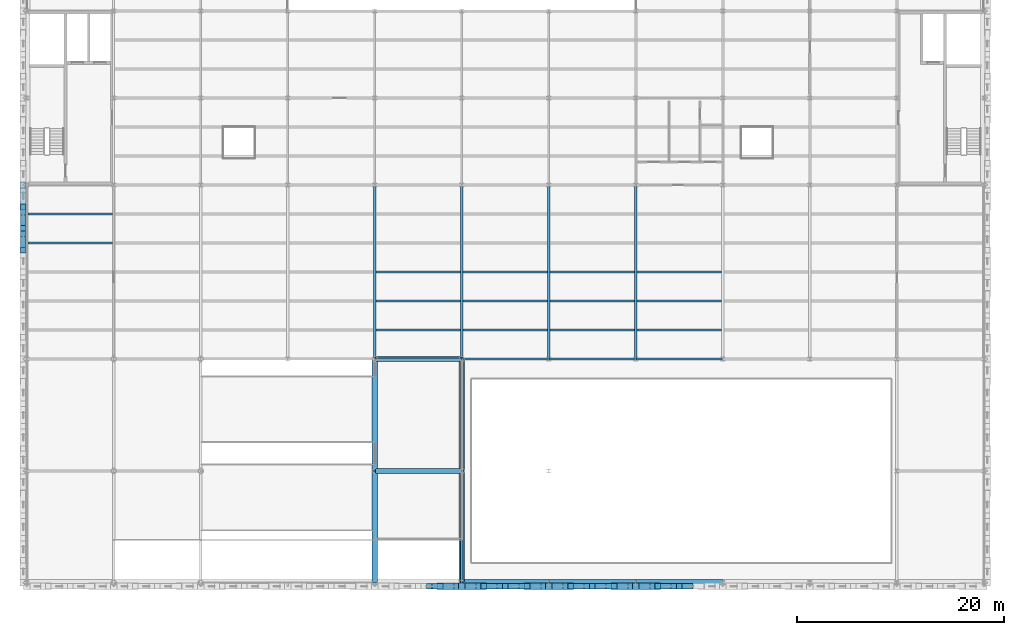
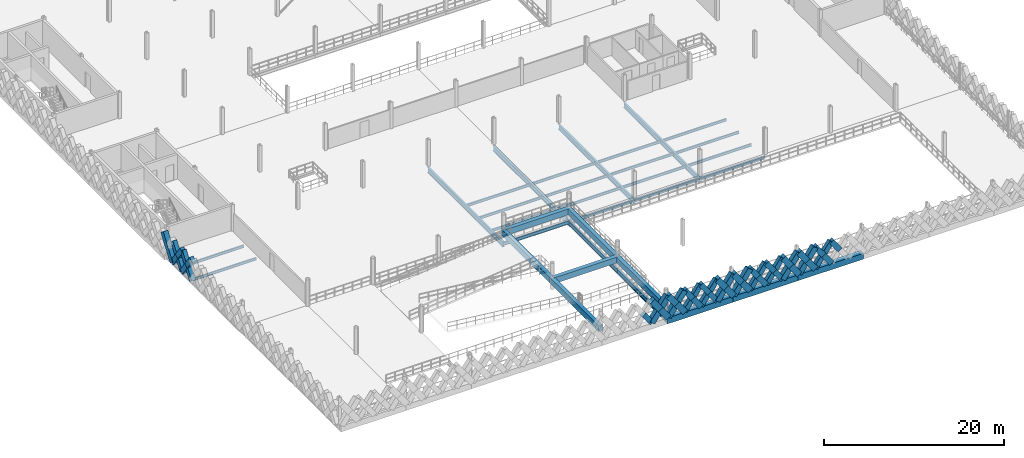
# One storey, part 19 of 74: 42 members, 33 beams.
"""IFC4 building model written with IfcOpenShell, lengths in metres."""

from ifc_helpers import new_model, si_unit, direction, frame, origin, origin_2d, place, context, subcontext, project, spatial, rectangle, i_section, extrude, material, material_profile, profile_set, type_object, element, save


model = new_model("IFC4")

# Units and contexts
model_context = context("Model", 3, precision=1e-05, world=origin(), true_north=direction((0.0, 1.0)))
body_context = subcontext(model_context, "Body", "Model", "MODEL_VIEW")
ifc_project = project(units=[si_unit("LENGTHUNIT", "METRE"), si_unit("AREAUNIT", "SQUARE_METRE"), si_unit("VOLUMEUNIT", "CUBIC_METRE"), si_unit("PLANEANGLEUNIT", "RADIAN"), si_unit("MASSUNIT", "GRAM", prefix="KILO"), si_unit("THERMODYNAMICTEMPERATUREUNIT", "KELVIN"), si_unit("POWERUNIT", "WATT")], contexts=[model_context])

# Site, building, storey
site_placement = place(None, origin())
site = spatial("IfcSite", under=ifc_project, at=site_placement, CompositionType="ELEMENT")
building_placement = place(site_placement, origin())
building = spatial("IfcBuilding", under=site, at=building_placement, Name="Tembeka Court Mobility Hub", CompositionType="ELEMENT")
storey_placement = place(building_placement, frame((0.0, 0.0, 12.60009765625)))
storey = spatial("IfcBuildingStorey", under=building, at=storey_placement, Name="L03", CompositionType="ELEMENT", Elevation=12.60009765625)

# Beams
ifc_material_1 = material(Name="Steel S355", Category="steel")
ifc_material_profile_1 = material_profile(ifc_material_1, i_section(OverallWidth=0.18994140625, OverallDepth=0.45703125, WebThickness=0.009033203125, FlangeThickness=0.014404296875, FilletRadius=0.01025390625, at=origin_2d()), Name="UKB 457x191x74")
ifc_profile_set_1 = profile_set([ifc_material_profile_1], Name="Steel S355")
beam_type_1 = type_object("IfcBeamType", Name="BM-B01", PredefinedType="BEAM", material=ifc_profile_set_1)
for number, where, z_axis, x_axis, name in (
    (1, (33.60009765625, 21.60009765625, -0.448486328125), (1.0, 0.0, 0.0), (0.0, 1.0, 0.0), "Beam B01 (BM-L03-X1707)"),
    (2, (42.0, 21.60009765625, -0.448486328125), (1.0, 0.0, 0.0), (0.0, 1.0, 0.0), "Beam B01 (BM-L03-X1708)"),
):
    element("IfcBeam", number, at=place(storey_placement, frame(where, z_axis=z_axis, x_axis=x_axis)), inside=storey, type_object=beam_type_1, Name=name, PredefinedType="BEAM", context=body_context, shape_type="SweptSolid", body=[
        extrude(i_section(OverallWidth=0.18994140625, OverallDepth=0.45703125, WebThickness=0.009033203125, FlangeThickness=0.014404296875, FilletRadius=0.01025390625, at=origin_2d()), origin(), (0.0, 0.0, 1.0), 8.39990234375),
    ])
beam_1_placement = place(storey_placement, frame((50.39990234375, 21.60009765625, -0.448486328125), z_axis=(1.0, 0.0, 0.0), x_axis=(0.0, 1.0, 0.0)))
element("IfcBeam", 3, at=beam_1_placement, inside=storey, type_object=beam_type_1, Name="Beam B01 (BM-L03-X1709)", PredefinedType="BEAM", context=body_context, shape_type="SweptSolid", body=[
    extrude(i_section(OverallWidth=0.18994140625, OverallDepth=0.45703125, WebThickness=0.009033203125, FlangeThickness=0.014404296875, FilletRadius=0.01025390625, at=origin_2d()), origin(), (0.0, 0.0, 1.0), 8.400146484375),
])
beam_2_placement = place(storey_placement, frame((58.800048828125, 21.60009765625, -0.448486328125), z_axis=(1.0, 0.0, 0.0), x_axis=(0.0, 1.0, 0.0)))
element("IfcBeam", 4, at=beam_2_placement, inside=storey, type_object=beam_type_1, Name="Beam B01 (BM-L03-X1710)", PredefinedType="BEAM", context=body_context, shape_type="SweptSolid", body=[
    extrude(i_section(OverallWidth=0.18994140625, OverallDepth=0.45703125, WebThickness=0.009033203125, FlangeThickness=0.014404296875, FilletRadius=0.01025390625, at=origin_2d()), origin(), (0.0, 0.0, 1.0), 8.39990234375),
])
ifc_material_2 = material(Name="Concrete C40/50", Category="concrete")
ifc_material_profile_2 = material_profile(ifc_material_2, rectangle(XDim=0.5, YDim=0.800048828125, at=origin_2d()), Name="RC-BM 500x800")
ifc_profile_set_2 = profile_set([ifc_material_profile_2], Name="Concrete C40/50")
beam_type_2 = type_object("IfcBeamType", Name="BM-B05", PredefinedType="BEAM", material=ifc_profile_set_2)
for number, where, z_axis, x_axis, name in (
    (5, (33.695068359375, 10.800048828125, 1.14990234375), (1.0, 0.0, 0.0), (0.0, 1.0, 0.0), "Car park vehicle ramp South R2 L03 half-landing tie beam EX2"),
    (6, (33.695068359375, 21.60009765625, 1.14990234375), (1.0, 0.0, 0.0), (0.0, 1.0, 0.0), "Car park vehicle ramp South R2 L03 half-landing tie beam EX3"),
):
    element("IfcBeam", number, at=place(storey_placement, frame(where, z_axis=z_axis, x_axis=x_axis)), inside=storey, type_object=beam_type_2, Name=name, PredefinedType="BEAM", context=body_context, shape_type="SweptSolid", body=[
        extrude(rectangle(XDim=0.5, YDim=0.800048828125, at=origin_2d()), origin(), (0.0, 0.0, 1.0), 8.2099609375),
    ])
for number, where, z_axis, x_axis, name in (
    (7, (33.60009765625, 0.0, 1.14990234375), (0.0, 1.0, 0.0), (-1.0, 0.0, 0.0), "Car park vehicle ramp South R2 L03 half-landing beam EM1"),
    (8, (33.60009765625, 10.800048828125, 1.14990234375), (0.0, 1.0, 0.0), (-1.0, 0.0, 0.0), "Car park vehicle ramp South R2 L03 half-landing beam EM2"),
    (9, (42.0, 0.0, 1.14990234375), (0.0, 1.0, 0.0), (-1.0, 0.0, 0.0), "Car park vehicle ramp South R2 L03 half-landing beam EE1"),
    (10, (42.0, 10.800048828125, 1.14990234375), (0.0, 1.0, 0.0), (-1.0, 0.0, 0.0), "Car park vehicle ramp South R2 L03 half-landing beam EE2"),
):
    element("IfcBeam", number, at=place(storey_placement, frame(where, z_axis=z_axis, x_axis=x_axis)), inside=storey, type_object=beam_type_2, Name=name, PredefinedType="BEAM", context=body_context, shape_type="SweptSolid", body=[
        extrude(rectangle(XDim=0.5, YDim=0.800048828125, at=origin_2d()), origin(), (0.0, 0.0, 1.0), 10.800048828125),
    ])
ifc_material_profile_3 = material_profile(ifc_material_1, i_section(OverallWidth=0.25390625, OverallDepth=0.68408203125, WebThickness=0.012451171875, FlangeThickness=0.01904296875, FilletRadius=0.01513671875, at=origin_2d()), Name="UKB 686x254x140")
ifc_profile_set_3 = profile_set([ifc_material_profile_3], Name="Steel S355")
beam_type_3 = type_object("IfcBeamType", Name="BM-G01", PredefinedType="USERDEFINED", material=ifc_profile_set_3)
for number, where, z_axis, x_axis, name in (
    (11, (33.60009765625, 21.60009765625, -0.56201171875), (0.0, 1.0, 0.0), (-1.0, 0.0, 0.0), "Beam G01 (BM-L03-Y1856)"),
    (12, (42.0, 21.60009765625, -0.56201171875), (0.0, 1.0, 0.0), (-1.0, 0.0, 0.0), "Beam G01 (BM-L03-Y1864)"),
    (13, (50.39990234375, 21.60009765625, -0.56201171875), (0.0, 1.0, 0.0), (-1.0, 0.0, 0.0), "Beam G01 (BM-L03-Y1872)"),
    (14, (58.800048828125, 21.60009765625, -0.56201171875), (0.0, 1.0, 0.0), (-1.0, 0.0, 0.0), "Beam G01 (BM-L03-Y1878)"),
):
    element("IfcBeam", number, at=place(storey_placement, frame(where, z_axis=z_axis, x_axis=x_axis)), inside=storey, type_object=beam_type_3, Name=name, ObjectType="GIRDER", PredefinedType="USERDEFINED", context=body_context, shape_type="SweptSolid", body=[
        extrude(i_section(OverallWidth=0.25390625, OverallDepth=0.68408203125, WebThickness=0.012451171875, FlangeThickness=0.01904296875, FilletRadius=0.01513671875, at=origin_2d()), origin(), (0.0, 0.0, 1.0), 16.7998046875),
    ])
ifc_material_profile_4 = material_profile(ifc_material_1, i_section(OverallWidth=0.22900390625, OverallDepth=0.612060546875, WebThickness=0.011962890625, FlangeThickness=0.01953125, FilletRadius=0.0126953125, at=origin_2d()), Name="UKB 610x229x125")
ifc_profile_set_4 = profile_set([ifc_material_profile_4], Name="Steel S355")
beam_type_4 = type_object("IfcBeamType", Name="BM-G02", PredefinedType="USERDEFINED", material=ifc_profile_set_4)
for number, where, z_axis, x_axis, name in (
    (15, (42.0, 0.0, -0.526123046875), (0.0, 1.0, 0.0), (-1.0, 0.0, 0.0), "Beam G02 (BM-L03-Y1862)"),
    (16, (42.0, 10.800048828125, -0.526123046875), (0.0, 1.0, 0.0), (-1.0, 0.0, 0.0), "Beam G02 (BM-L03-Y1863)"),
):
    element("IfcBeam", number, at=place(storey_placement, frame(where, z_axis=z_axis, x_axis=x_axis)), inside=storey, type_object=beam_type_4, Name=name, ObjectType="GIRDER", PredefinedType="USERDEFINED", context=body_context, shape_type="SweptSolid", body=[
        extrude(i_section(OverallWidth=0.22900390625, OverallDepth=0.612060546875, WebThickness=0.011962890625, FlangeThickness=0.01953125, FilletRadius=0.0126953125, at=origin_2d()), origin(), (0.0, 0.0, 1.0), 10.800048828125),
    ])
ifc_material_profile_5 = material_profile(ifc_material_1, i_section(OverallWidth=0.172119140625, OverallDepth=0.35498046875, WebThickness=0.00732421875, FlangeThickness=0.011474609375, FilletRadius=0.01025390625, at=origin_2d()), Name="UKB 356x171x51")
ifc_profile_set_5 = profile_set([ifc_material_profile_5], Name="Steel S355")
beam_type_5 = type_object("IfcBeamType", Name="BM-J01", PredefinedType="JOIST", material=ifc_profile_set_5)
for number, where, z_axis, x_axis, name in (
    (17, (0.1220703125, 32.800048828125, -0.397705078125), (1.0, 0.0, 0.0), (0.0, 1.0, 0.0), "Beam J01 (JST-L03-1949)"),
    (18, (0.1220703125, 35.60009765625, -0.397705078125), (1.0, 0.0, 0.0), (0.0, 1.0, 0.0), "Beam J01 (JST-L03-1950)"),
    (19, (33.721923828125, 24.39990234375, -0.397705078125), (1.0, 0.0, 0.0), (0.0, 1.0, 0.0), "Beam J01 (JST-L03-2016)"),
    (20, (33.721923828125, 27.199951171875, -0.397705078125), (1.0, 0.0, 0.0), (0.0, 1.0, 0.0), "Beam J01 (JST-L03-2017)"),
    (21, (33.721923828125, 30.0, -0.397705078125), (1.0, 0.0, 0.0), (0.0, 1.0, 0.0), "Beam J01 (JST-L03-2018)"),
    (22, (42.1220703125, 24.39990234375, -0.397705078125), (1.0, 0.0, 0.0), (0.0, 1.0, 0.0), "Beam J01 (JST-L03-2034)"),
    (23, (42.1220703125, 27.199951171875, -0.397705078125), (1.0, 0.0, 0.0), (0.0, 1.0, 0.0), "Beam J01 (JST-L03-2035)"),
    (24, (42.1220703125, 30.0, -0.397705078125), (1.0, 0.0, 0.0), (0.0, 1.0, 0.0), "Beam J01 (JST-L03-2036)"),
    (25, (50.52197265625, 24.39990234375, -0.397705078125), (1.0, 0.0, 0.0), (0.0, 1.0, 0.0), "Beam J01 (JST-L03-2052)"),
    (26, (50.52197265625, 27.199951171875, -0.397705078125), (1.0, 0.0, 0.0), (0.0, 1.0, 0.0), "Beam J01 (JST-L03-2053)"),
    (27, (50.52197265625, 30.0, -0.397705078125), (1.0, 0.0, 0.0), (0.0, 1.0, 0.0), "Beam J01 (JST-L03-2054)"),
):
    element("IfcBeam", number, at=place(storey_placement, frame(where, z_axis=z_axis, x_axis=x_axis)), inside=storey, type_object=beam_type_5, Name=name, PredefinedType="JOIST", context=body_context, shape_type="SweptSolid", body=[
        extrude(i_section(OverallWidth=0.172119140625, OverallDepth=0.35498046875, WebThickness=0.00732421875, FlangeThickness=0.011474609375, FilletRadius=0.01025390625, at=origin_2d()), origin(), (0.0, 0.0, 1.0), 8.156005859375),
    ])
for number, where, z_axis, x_axis, name in (
    (28, (58.922119140625, 24.39990234375, -0.397705078125), (1.0, 0.0, 0.0), (0.0, 1.0, 0.0), "Beam J01 (JST-L03-2070)"),
    (29, (58.922119140625, 27.199951171875, -0.397705078125), (1.0, 0.0, 0.0), (0.0, 1.0, 0.0), "Beam J01 (JST-L03-2071)"),
    (30, (58.922119140625, 30.0, -0.397705078125), (1.0, 0.0, 0.0), (0.0, 1.0, 0.0), "Beam J01 (JST-L03-2072)"),
):
    element("IfcBeam", number, at=place(storey_placement, frame(where, z_axis=z_axis, x_axis=x_axis)), inside=storey, type_object=beam_type_5, Name=name, PredefinedType="JOIST", context=body_context, shape_type="SweptSolid", body=[
        extrude(i_section(OverallWidth=0.172119140625, OverallDepth=0.35498046875, WebThickness=0.00732421875, FlangeThickness=0.011474609375, FilletRadius=0.01025390625, at=origin_2d()), origin(), (0.0, 0.0, 1.0), 8.15576171875),
    ])
ifc_material_3 = material(Name="Precast concrete C45/55", Category="concrete")
ifc_material_profile_6 = material_profile(ifc_material_3, rectangle(XDim=0.64990234375, YDim=0.800048828125, at=origin_2d()), Name="PC-SP 650x800")
ifc_profile_set_6 = profile_set([ifc_material_profile_6], Name="Precast concrete C45/55")
beam_type_6 = type_object("IfcBeamType", Name="BM-SP01", PredefinedType="SPANDREL", material=ifc_profile_set_6)
beam_3_placement = place(storey_placement, frame((42.0, 0.0, -0.6201171875), z_axis=(1.0, 0.0, 0.0), x_axis=(0.0, 1.0, 0.0)))
element("IfcBeam", 31, at=beam_3_placement, inside=storey, type_object=beam_type_6, Name="Beam SP01 (BM-L03-X1686)", PredefinedType="SPANDREL", context=body_context, shape_type="SweptSolid", body=[
    extrude(rectangle(XDim=0.64990234375, YDim=0.800048828125, at=origin_2d()), origin(), (0.0, 0.0, 1.0), 8.39990234375),
])
beam_4_placement = place(storey_placement, frame((50.39990234375, 0.0, -0.6201171875), z_axis=(1.0, 0.0, 0.0), x_axis=(0.0, 1.0, 0.0)))
element("IfcBeam", 32, at=beam_4_placement, inside=storey, type_object=beam_type_6, Name="Beam SP01 (BM-L03-X1687)", PredefinedType="SPANDREL", context=body_context, shape_type="SweptSolid", body=[
    extrude(rectangle(XDim=0.64990234375, YDim=0.800048828125, at=origin_2d()), origin(), (0.0, 0.0, 1.0), 8.400146484375),
])
beam_5_placement = place(storey_placement, frame((58.800048828125, 0.0, -0.6201171875), z_axis=(1.0, 0.0, 0.0), x_axis=(0.0, 1.0, 0.0)))
element("IfcBeam", 33, at=beam_5_placement, inside=storey, type_object=beam_type_6, Name="Beam SP01 (BM-L03-X1688)", PredefinedType="SPANDREL", context=body_context, shape_type="SweptSolid", body=[
    extrude(rectangle(XDim=0.64990234375, YDim=0.800048828125, at=origin_2d()), origin(), (0.0, 0.0, 1.0), 8.39990234375),
])

# Members
ifc_material_profile_7 = material_profile(ifc_material_3, rectangle(XDim=0.5, YDim=0.64990234375, at=origin_2d()), Name="PC-DIAG 500x650")
ifc_profile_set_7 = profile_set([ifc_material_profile_7], Name="Precast concrete C45/55")
member_type_1 = type_object("IfcMemberType", Name="MEM-DL01", PredefinedType="BRACE", material=ifc_profile_set_7)
member_1_placement = place(storey_placement, frame((39.89990234375, -0.340087890625, 0.02001953125), z_axis=(-0.582518941428, 0.0, 0.812817127574), x_axis=(0.0, -1.0, 0.0)))
element("IfcMember", 34, at=member_1_placement, inside=storey, type_object=member_type_1, Name="Precast diamond lattice split lower strand DL01 (L03-407B1)", PredefinedType="BRACE", context=body_context, shape_type="SweptSolid", body=[
    extrude(rectangle(XDim=0.5, YDim=0.64990234375, at=origin_2d()), origin(), (0.0, 0.0, 1.0), 1.80224609375),
])
member_2_placement = place(storey_placement, frame((44.10009765625, -0.340087890625, 0.02001953125), z_axis=(0.58253161945, 0.0, 0.812808041509), x_axis=(0.0, 1.0, 0.0)))
element("IfcMember", 35, at=member_2_placement, inside=storey, type_object=member_type_1, Name="Precast diamond lattice continuous strand DL01 (L03-410A)", PredefinedType="BRACE", context=body_context, shape_type="SweptSolid", body=[
    extrude(rectangle(XDim=0.5, YDim=0.64990234375, at=origin_2d()), origin(), (0.0, 0.0, 1.0), 3.604736328125),
])
member_3_placement = place(storey_placement, frame((46.199951171875, -0.340087890625, 0.02001953125), z_axis=(-0.582608431711, 0.0, 0.812752985414), x_axis=(0.0, -1.0, 0.0)))
element("IfcMember", 36, at=member_3_placement, inside=storey, type_object=member_type_1, Name="Precast diamond lattice split lower strand DL01 (L03-410B1)", PredefinedType="BRACE", context=body_context, shape_type="SweptSolid", body=[
    extrude(rectangle(XDim=0.5, YDim=0.64990234375, at=origin_2d()), origin(), (0.0, 0.0, 1.0), 1.80224609375),
])
member_4_placement = place(storey_placement, frame((45.14990234375, -0.340087890625, 1.48486328125), z_axis=(-0.582454804382, 0.0, 0.812863088627), x_axis=(0.0, -1.0, 0.0)))
element("IfcMember", 37, at=member_4_placement, inside=storey, type_object=member_type_1, Name="Precast diamond lattice split upper strand DL01 (L03-410B2)", PredefinedType="BRACE", context=body_context, shape_type="SweptSolid", body=[
    extrude(rectangle(XDim=0.5, YDim=0.64990234375, at=origin_2d()), origin(), (0.0, 0.0, 1.0), 1.802490234375),
])
member_5_placement = place(storey_placement, frame((46.199951171875, -0.340087890625, 0.02001953125), z_axis=(0.582576362011, 0.0, 0.812775973086), x_axis=(0.0, 1.0, 0.0)))
element("IfcMember", 38, at=member_5_placement, inside=storey, type_object=member_type_1, Name="Precast diamond lattice continuous strand DL01 (L03-411A)", PredefinedType="BRACE", context=body_context, shape_type="SweptSolid", body=[
    extrude(rectangle(XDim=0.5, YDim=0.64990234375, at=origin_2d()), origin(), (0.0, 0.0, 1.0), 3.604736328125),
])
member_6_placement = place(storey_placement, frame((48.300048828125, -0.340087890625, 0.02001953125), z_axis=(-0.582608431711, 0.0, 0.812752985414), x_axis=(0.0, -1.0, 0.0)))
element("IfcMember", 39, at=member_6_placement, inside=storey, type_object=member_type_1, Name="Precast diamond lattice split lower strand DL01 (L03-411B1)", PredefinedType="BRACE", context=body_context, shape_type="SweptSolid", body=[
    extrude(rectangle(XDim=0.5, YDim=0.64990234375, at=origin_2d()), origin(), (0.0, 0.0, 1.0), 1.80224609375),
])
member_7_placement = place(storey_placement, frame((47.25, -0.340087890625, 1.48486328125), z_axis=(-0.582544294934, 0.0, 0.812798956963), x_axis=(0.0, -1.0, 0.0)))
element("IfcMember", 40, at=member_7_placement, inside=storey, type_object=member_type_1, Name="Precast diamond lattice split upper strand DL01 (L03-411B2)", PredefinedType="BRACE", context=body_context, shape_type="SweptSolid", body=[
    extrude(rectangle(XDim=0.5, YDim=0.64990234375, at=origin_2d()), origin(), (0.0, 0.0, 1.0), 1.802490234375),
])
member_8_placement = place(storey_placement, frame((52.5, -0.340087890625, 0.02001953125), z_axis=(0.582576362011, 0.0, 0.812775973086), x_axis=(0.0, 1.0, 0.0)))
element("IfcMember", 41, at=member_8_placement, inside=storey, type_object=member_type_1, Name="Precast diamond lattice continuous strand DL01 (L03-414A)", PredefinedType="BRACE", context=body_context, shape_type="SweptSolid", body=[
    extrude(rectangle(XDim=0.5, YDim=0.64990234375, at=origin_2d()), origin(), (0.0, 0.0, 1.0), 3.604736328125),
])
member_9_placement = place(storey_placement, frame((54.60009765625, -0.340087890625, 0.02001953125), z_axis=(-0.582608431711, 0.0, 0.812752985414), x_axis=(0.0, -1.0, 0.0)))
element("IfcMember", 42, at=member_9_placement, inside=storey, type_object=member_type_1, Name="Precast diamond lattice split lower strand DL01 (L03-414B1)", PredefinedType="BRACE", context=body_context, shape_type="SweptSolid", body=[
    extrude(rectangle(XDim=0.5, YDim=0.64990234375, at=origin_2d()), origin(), (0.0, 0.0, 1.0), 1.80224609375),
])
member_10_placement = place(storey_placement, frame((53.550048828125, -0.340087890625, 1.48486328125), z_axis=(-0.582544294934, 0.0, 0.812798956963), x_axis=(0.0, -1.0, 0.0)))
element("IfcMember", 43, at=member_10_placement, inside=storey, type_object=member_type_1, Name="Precast diamond lattice split upper strand DL01 (L03-414B2)", PredefinedType="BRACE", context=body_context, shape_type="SweptSolid", body=[
    extrude(rectangle(XDim=0.5, YDim=0.64990234375, at=origin_2d()), origin(), (0.0, 0.0, 1.0), 1.802490234375),
])
member_11_placement = place(storey_placement, frame((54.60009765625, -0.340087890625, 0.02001953125), z_axis=(0.58253161945, 0.0, 0.812808041509), x_axis=(0.0, 1.0, 0.0)))
element("IfcMember", 44, at=member_11_placement, inside=storey, type_object=member_type_1, Name="Precast diamond lattice continuous strand DL01 (L03-415A)", PredefinedType="BRACE", context=body_context, shape_type="SweptSolid", body=[
    extrude(rectangle(XDim=0.5, YDim=0.64990234375, at=origin_2d()), origin(), (0.0, 0.0, 1.0), 3.604736328125),
])
member_12_placement = place(storey_placement, frame((56.699951171875, -0.340087890625, 0.02001953125), z_axis=(-0.582608431711, 0.0, 0.812752985414), x_axis=(0.0, -1.0, 0.0)))
element("IfcMember", 45, at=member_12_placement, inside=storey, type_object=member_type_1, Name="Precast diamond lattice split lower strand DL01 (L03-415B1)", PredefinedType="BRACE", context=body_context, shape_type="SweptSolid", body=[
    extrude(rectangle(XDim=0.5, YDim=0.64990234375, at=origin_2d()), origin(), (0.0, 0.0, 1.0), 1.80224609375),
])
member_13_placement = place(storey_placement, frame((55.64990234375, -0.340087890625, 1.48486328125), z_axis=(-0.582454804382, 0.0, 0.812863088627), x_axis=(0.0, -1.0, 0.0)))
element("IfcMember", 46, at=member_13_placement, inside=storey, type_object=member_type_1, Name="Precast diamond lattice split upper strand DL01 (L03-415B2)", PredefinedType="BRACE", context=body_context, shape_type="SweptSolid", body=[
    extrude(rectangle(XDim=0.5, YDim=0.64990234375, at=origin_2d()), origin(), (0.0, 0.0, 1.0), 1.802490234375),
])
member_14_placement = place(storey_placement, frame((60.89990234375, -0.340087890625, 0.02001953125), z_axis=(0.582576362011, 0.0, 0.812775973086), x_axis=(0.0, 1.0, 0.0)))
element("IfcMember", 47, at=member_14_placement, inside=storey, type_object=member_type_1, Name="Precast diamond lattice continuous strand DL01 (L03-418A)", PredefinedType="BRACE", context=body_context, shape_type="SweptSolid", body=[
    extrude(rectangle(XDim=0.5, YDim=0.64990234375, at=origin_2d()), origin(), (0.0, 0.0, 1.0), 3.604736328125),
])
member_15_placement = place(storey_placement, frame((63.0, -0.340087890625, 0.02001953125), z_axis=(-0.582608431711, 0.0, 0.812752985414), x_axis=(0.0, -1.0, 0.0)))
element("IfcMember", 48, at=member_15_placement, inside=storey, type_object=member_type_1, Name="Precast diamond lattice split lower strand DL01 (L03-418B1)", PredefinedType="BRACE", context=body_context, shape_type="SweptSolid", body=[
    extrude(rectangle(XDim=0.5, YDim=0.64990234375, at=origin_2d()), origin(), (0.0, 0.0, 1.0), 1.80224609375),
])
for number, where, z_axis, x_axis, name in (
    (49, (61.949951171875, -0.340087890625, 1.48486328125), (-0.582544294934, 0.0, 0.812798956963), (0.0, -1.0, 0.0), "Precast diamond lattice split upper strand DL01 (L03-418B2)"),
    (50, (64.050048828125, -0.340087890625, 1.48486328125), (-0.582544294934, 0.0, 0.812798956963), (0.0, -1.0, 0.0), "Precast diamond lattice split upper strand DL01 (L03-419B2)"),
):
    element("IfcMember", number, at=place(storey_placement, frame(where, z_axis=z_axis, x_axis=x_axis)), inside=storey, type_object=member_type_1, Name=name, PredefinedType="BRACE", context=body_context, shape_type="SweptSolid", body=[
        extrude(rectangle(XDim=0.5, YDim=0.64990234375, at=origin_2d()), origin(), (0.0, 0.0, 1.0), 1.802490234375),
    ])
member_16_placement = place(storey_placement, frame((-0.340087890625, 32.10009765625, 0.02001953125), z_axis=(0.0, 0.58253161945, 0.812808041509), x_axis=(-1.0, 0.0, 0.0)))
element("IfcMember", 51, at=member_16_placement, inside=storey, type_object=member_type_1, Name="Precast diamond lattice continuous strand DL01 (L03-492C)", PredefinedType="BRACE", context=body_context, shape_type="SweptSolid", body=[
    extrude(rectangle(XDim=0.5, YDim=0.64990234375, at=origin_2d()), origin(), (0.0, 0.0, 1.0), 3.604736328125),
])
member_17_placement = place(storey_placement, frame((-0.340087890625, 34.199951171875, 0.02001953125), z_axis=(0.0, -0.582608431711, 0.812752985414), x_axis=(1.0, 0.0, 0.0)))
element("IfcMember", 52, at=member_17_placement, inside=storey, type_object=member_type_1, Name="Precast diamond lattice split lower strand DL01 (L03-492D1)", PredefinedType="BRACE", context=body_context, shape_type="SweptSolid", body=[
    extrude(rectangle(XDim=0.5, YDim=0.64990234375, at=origin_2d()), origin(), (0.0, 0.0, 1.0), 1.80224609375),
])
member_18_placement = place(storey_placement, frame((-0.340087890625, 33.14990234375, 1.48486328125), z_axis=(0.0, -0.582454804382, 0.812863088627), x_axis=(1.0, 0.0, 0.0)))
element("IfcMember", 53, at=member_18_placement, inside=storey, type_object=member_type_1, Name="Precast diamond lattice split upper strand DL01 (L03-492D2)", PredefinedType="BRACE", context=body_context, shape_type="SweptSolid", body=[
    extrude(rectangle(XDim=0.5, YDim=0.64990234375, at=origin_2d()), origin(), (0.0, 0.0, 1.0), 1.802490234375),
])
member_19_placement = place(storey_placement, frame((-0.340087890625, 34.199951171875, 0.02001953125), z_axis=(0.0, 0.582576362011, 0.812775973086), x_axis=(-1.0, 0.0, 0.0)))
element("IfcMember", 54, at=member_19_placement, inside=storey, type_object=member_type_1, Name="Precast diamond lattice continuous strand DL01 (L03-493C)", PredefinedType="BRACE", context=body_context, shape_type="SweptSolid", body=[
    extrude(rectangle(XDim=0.5, YDim=0.64990234375, at=origin_2d()), origin(), (0.0, 0.0, 1.0), 3.604736328125),
])
member_20_placement = place(storey_placement, frame((-0.340087890625, 36.300048828125, 0.02001953125), z_axis=(0.0, -0.582608431711, 0.812752985414), x_axis=(1.0, 0.0, 0.0)))
element("IfcMember", 55, at=member_20_placement, inside=storey, type_object=member_type_1, Name="Precast diamond lattice split lower strand DL01 (L03-493D1)", PredefinedType="BRACE", context=body_context, shape_type="SweptSolid", body=[
    extrude(rectangle(XDim=0.5, YDim=0.64990234375, at=origin_2d()), origin(), (0.0, 0.0, 1.0), 1.80224609375),
])
member_21_placement = place(storey_placement, frame((-0.340087890625, 35.25, 1.48486328125), z_axis=(0.0, -0.582544294934, 0.812798956963), x_axis=(1.0, 0.0, 0.0)))
element("IfcMember", 56, at=member_21_placement, inside=storey, type_object=member_type_1, Name="Precast diamond lattice split upper strand DL01 (L03-493D2)", PredefinedType="BRACE", context=body_context, shape_type="SweptSolid", body=[
    extrude(rectangle(XDim=0.5, YDim=0.64990234375, at=origin_2d()), origin(), (0.0, 0.0, 1.0), 1.802490234375),
])
ifc_material_profile_8 = material_profile(ifc_material_3, rectangle(XDim=0.60009765625, YDim=0.75, at=origin_2d()), Name="PC-DIAG 600x750")
ifc_profile_set_8 = profile_set([ifc_material_profile_8], Name="Precast concrete C45/55")
member_type_2 = type_object("IfcMemberType", Name="MEM-DL02", PredefinedType="BRACE", material=ifc_profile_set_8)
member_22_placement = place(storey_placement, frame((39.89990234375, -0.340087890625, 0.02001953125), z_axis=(0.582576362011, 0.0, 0.812775973086), x_axis=(0.0, 1.0, 0.0)))
element("IfcMember", 57, at=member_22_placement, inside=storey, type_object=member_type_2, Name="Precast diamond lattice continuous strand DL02 (L03-408A)", PredefinedType="BRACE", context=body_context, shape_type="SweptSolid", body=[
    extrude(rectangle(XDim=0.60009765625, YDim=0.75, at=origin_2d()), origin(), (0.0, 0.0, 1.0), 3.604736328125),
])
member_23_placement = place(storey_placement, frame((42.0, -0.340087890625, 0.02001953125), z_axis=(-0.582608431711, 0.0, 0.812752985414), x_axis=(0.0, -1.0, 0.0)))
element("IfcMember", 58, at=member_23_placement, inside=storey, type_object=member_type_2, Name="Precast diamond lattice split lower strand DL02 (L03-408B1)", PredefinedType="BRACE", context=body_context, shape_type="SweptSolid", body=[
    extrude(rectangle(XDim=0.60009765625, YDim=0.75, at=origin_2d()), origin(), (0.0, 0.0, 1.0), 1.80224609375),
])
member_24_placement = place(storey_placement, frame((40.949951171875, -0.340087890625, 1.48486328125), z_axis=(-0.582544294934, 0.0, 0.812798956963), x_axis=(0.0, -1.0, 0.0)))
element("IfcMember", 59, at=member_24_placement, inside=storey, type_object=member_type_2, Name="Precast diamond lattice split upper strand DL02 (L03-408B2)", PredefinedType="BRACE", context=body_context, shape_type="SweptSolid", body=[
    extrude(rectangle(XDim=0.60009765625, YDim=0.75, at=origin_2d()), origin(), (0.0, 0.0, 1.0), 1.802490234375),
])
member_25_placement = place(storey_placement, frame((42.0, -0.340087890625, 0.02001953125), z_axis=(0.582576362011, 0.0, 0.812775973086), x_axis=(0.0, 1.0, 0.0)))
element("IfcMember", 60, at=member_25_placement, inside=storey, type_object=member_type_2, Name="Precast diamond lattice continuous strand DL02 (L03-409A)", PredefinedType="BRACE", context=body_context, shape_type="SweptSolid", body=[
    extrude(rectangle(XDim=0.60009765625, YDim=0.75, at=origin_2d()), origin(), (0.0, 0.0, 1.0), 3.604736328125),
])
member_26_placement = place(storey_placement, frame((44.10009765625, -0.340087890625, 0.02001953125), z_axis=(-0.582608431711, 0.0, 0.812752985414), x_axis=(0.0, -1.0, 0.0)))
element("IfcMember", 61, at=member_26_placement, inside=storey, type_object=member_type_2, Name="Precast diamond lattice split lower strand DL02 (L03-409B1)", PredefinedType="BRACE", context=body_context, shape_type="SweptSolid", body=[
    extrude(rectangle(XDim=0.60009765625, YDim=0.75, at=origin_2d()), origin(), (0.0, 0.0, 1.0), 1.80224609375),
])
member_27_placement = place(storey_placement, frame((43.050048828125, -0.340087890625, 1.48486328125), z_axis=(-0.582544294934, 0.0, 0.812798956963), x_axis=(0.0, -1.0, 0.0)))
element("IfcMember", 62, at=member_27_placement, inside=storey, type_object=member_type_2, Name="Precast diamond lattice split upper strand DL02 (L03-409B2)", PredefinedType="BRACE", context=body_context, shape_type="SweptSolid", body=[
    extrude(rectangle(XDim=0.60009765625, YDim=0.75, at=origin_2d()), origin(), (0.0, 0.0, 1.0), 1.802490234375),
])
member_28_placement = place(storey_placement, frame((48.300048828125, -0.340087890625, 0.02001953125), z_axis=(0.58253161945, 0.0, 0.812808041509), x_axis=(0.0, 1.0, 0.0)))
element("IfcMember", 63, at=member_28_placement, inside=storey, type_object=member_type_2, Name="Precast diamond lattice continuous strand DL02 (L03-412A)", PredefinedType="BRACE", context=body_context, shape_type="SweptSolid", body=[
    extrude(rectangle(XDim=0.60009765625, YDim=0.75, at=origin_2d()), origin(), (0.0, 0.0, 1.0), 3.604736328125),
])
member_29_placement = place(storey_placement, frame((50.39990234375, -0.340087890625, 0.02001953125), z_axis=(-0.582518941428, 0.0, 0.812817127574), x_axis=(0.0, -1.0, 0.0)))
element("IfcMember", 64, at=member_29_placement, inside=storey, type_object=member_type_2, Name="Precast diamond lattice split lower strand DL02 (L03-412B1)", PredefinedType="BRACE", context=body_context, shape_type="SweptSolid", body=[
    extrude(rectangle(XDim=0.60009765625, YDim=0.75, at=origin_2d()), origin(), (0.0, 0.0, 1.0), 1.80224609375),
])
member_30_placement = place(storey_placement, frame((49.35009765625, -0.340087890625, 1.48486328125), z_axis=(-0.582544294934, 0.0, 0.812798956963), x_axis=(0.0, -1.0, 0.0)))
element("IfcMember", 65, at=member_30_placement, inside=storey, type_object=member_type_2, Name="Precast diamond lattice split upper strand DL02 (L03-412B2)", PredefinedType="BRACE", context=body_context, shape_type="SweptSolid", body=[
    extrude(rectangle(XDim=0.60009765625, YDim=0.75, at=origin_2d()), origin(), (0.0, 0.0, 1.0), 1.802490234375),
])
member_31_placement = place(storey_placement, frame((50.39990234375, -0.340087890625, 0.02001953125), z_axis=(0.582576362011, 0.0, 0.812775973086), x_axis=(0.0, 1.0, 0.0)))
element("IfcMember", 66, at=member_31_placement, inside=storey, type_object=member_type_2, Name="Precast diamond lattice continuous strand DL02 (L03-413A)", PredefinedType="BRACE", context=body_context, shape_type="SweptSolid", body=[
    extrude(rectangle(XDim=0.60009765625, YDim=0.75, at=origin_2d()), origin(), (0.0, 0.0, 1.0), 3.604736328125),
])
member_32_placement = place(storey_placement, frame((52.5, -0.340087890625, 0.02001953125), z_axis=(-0.582608431711, 0.0, 0.812752985414), x_axis=(0.0, -1.0, 0.0)))
element("IfcMember", 67, at=member_32_placement, inside=storey, type_object=member_type_2, Name="Precast diamond lattice split lower strand DL02 (L03-413B1)", PredefinedType="BRACE", context=body_context, shape_type="SweptSolid", body=[
    extrude(rectangle(XDim=0.60009765625, YDim=0.75, at=origin_2d()), origin(), (0.0, 0.0, 1.0), 1.80224609375),
])
member_33_placement = place(storey_placement, frame((51.449951171875, -0.340087890625, 1.48486328125), z_axis=(-0.582544294934, 0.0, 0.812798956963), x_axis=(0.0, -1.0, 0.0)))
element("IfcMember", 68, at=member_33_placement, inside=storey, type_object=member_type_2, Name="Precast diamond lattice split upper strand DL02 (L03-413B2)", PredefinedType="BRACE", context=body_context, shape_type="SweptSolid", body=[
    extrude(rectangle(XDim=0.60009765625, YDim=0.75, at=origin_2d()), origin(), (0.0, 0.0, 1.0), 1.802490234375),
])
member_34_placement = place(storey_placement, frame((56.699951171875, -0.340087890625, 0.02001953125), z_axis=(0.582576362011, 0.0, 0.812775973086), x_axis=(0.0, 1.0, 0.0)))
element("IfcMember", 69, at=member_34_placement, inside=storey, type_object=member_type_2, Name="Precast diamond lattice continuous strand DL02 (L03-416A)", PredefinedType="BRACE", context=body_context, shape_type="SweptSolid", body=[
    extrude(rectangle(XDim=0.60009765625, YDim=0.75, at=origin_2d()), origin(), (0.0, 0.0, 1.0), 3.604736328125),
])
member_35_placement = place(storey_placement, frame((58.800048828125, -0.340087890625, 0.02001953125), z_axis=(-0.582608431711, 0.0, 0.812752985414), x_axis=(0.0, -1.0, 0.0)))
element("IfcMember", 70, at=member_35_placement, inside=storey, type_object=member_type_2, Name="Precast diamond lattice split lower strand DL02 (L03-416B1)", PredefinedType="BRACE", context=body_context, shape_type="SweptSolid", body=[
    extrude(rectangle(XDim=0.60009765625, YDim=0.75, at=origin_2d()), origin(), (0.0, 0.0, 1.0), 1.80224609375),
])
member_36_placement = place(storey_placement, frame((57.75, -0.340087890625, 1.48486328125), z_axis=(-0.582544294934, 0.0, 0.812798956963), x_axis=(0.0, -1.0, 0.0)))
element("IfcMember", 71, at=member_36_placement, inside=storey, type_object=member_type_2, Name="Precast diamond lattice split upper strand DL02 (L03-416B2)", PredefinedType="BRACE", context=body_context, shape_type="SweptSolid", body=[
    extrude(rectangle(XDim=0.60009765625, YDim=0.75, at=origin_2d()), origin(), (0.0, 0.0, 1.0), 1.802490234375),
])
member_37_placement = place(storey_placement, frame((58.800048828125, -0.340087890625, 0.02001953125), z_axis=(0.58253161945, 0.0, 0.812808041509), x_axis=(0.0, 1.0, 0.0)))
element("IfcMember", 72, at=member_37_placement, inside=storey, type_object=member_type_2, Name="Precast diamond lattice continuous strand DL02 (L03-417A)", PredefinedType="BRACE", context=body_context, shape_type="SweptSolid", body=[
    extrude(rectangle(XDim=0.60009765625, YDim=0.75, at=origin_2d()), origin(), (0.0, 0.0, 1.0), 3.604736328125),
])
member_38_placement = place(storey_placement, frame((60.89990234375, -0.340087890625, 0.02001953125), z_axis=(-0.582518941428, 0.0, 0.812817127574), x_axis=(0.0, -1.0, 0.0)))
element("IfcMember", 73, at=member_38_placement, inside=storey, type_object=member_type_2, Name="Precast diamond lattice split lower strand DL02 (L03-417B1)", PredefinedType="BRACE", context=body_context, shape_type="SweptSolid", body=[
    extrude(rectangle(XDim=0.60009765625, YDim=0.75, at=origin_2d()), origin(), (0.0, 0.0, 1.0), 1.80224609375),
])
member_39_placement = place(storey_placement, frame((59.85009765625, -0.340087890625, 1.48486328125), z_axis=(-0.582544294934, 0.0, 0.812798956963), x_axis=(0.0, -1.0, 0.0)))
element("IfcMember", 74, at=member_39_placement, inside=storey, type_object=member_type_2, Name="Precast diamond lattice split upper strand DL02 (L03-417B2)", PredefinedType="BRACE", context=body_context, shape_type="SweptSolid", body=[
    extrude(rectangle(XDim=0.60009765625, YDim=0.75, at=origin_2d()), origin(), (0.0, 0.0, 1.0), 1.802490234375),
])
member_40_placement = place(storey_placement, frame((-0.340087890625, 36.300048828125, 0.02001953125), z_axis=(0.0, 0.58253161945, 0.812808041509), x_axis=(-1.0, 0.0, 0.0)))
element("IfcMember", 75, at=member_40_placement, inside=storey, type_object=member_type_2, Name="Precast diamond lattice continuous strand DL02 (L03-494C)", PredefinedType="BRACE", context=body_context, shape_type="SweptSolid", body=[
    extrude(rectangle(XDim=0.60009765625, YDim=0.75, at=origin_2d()), origin(), (0.0, 0.0, 1.0), 3.604736328125),
])

save(model, "model.ifc")
